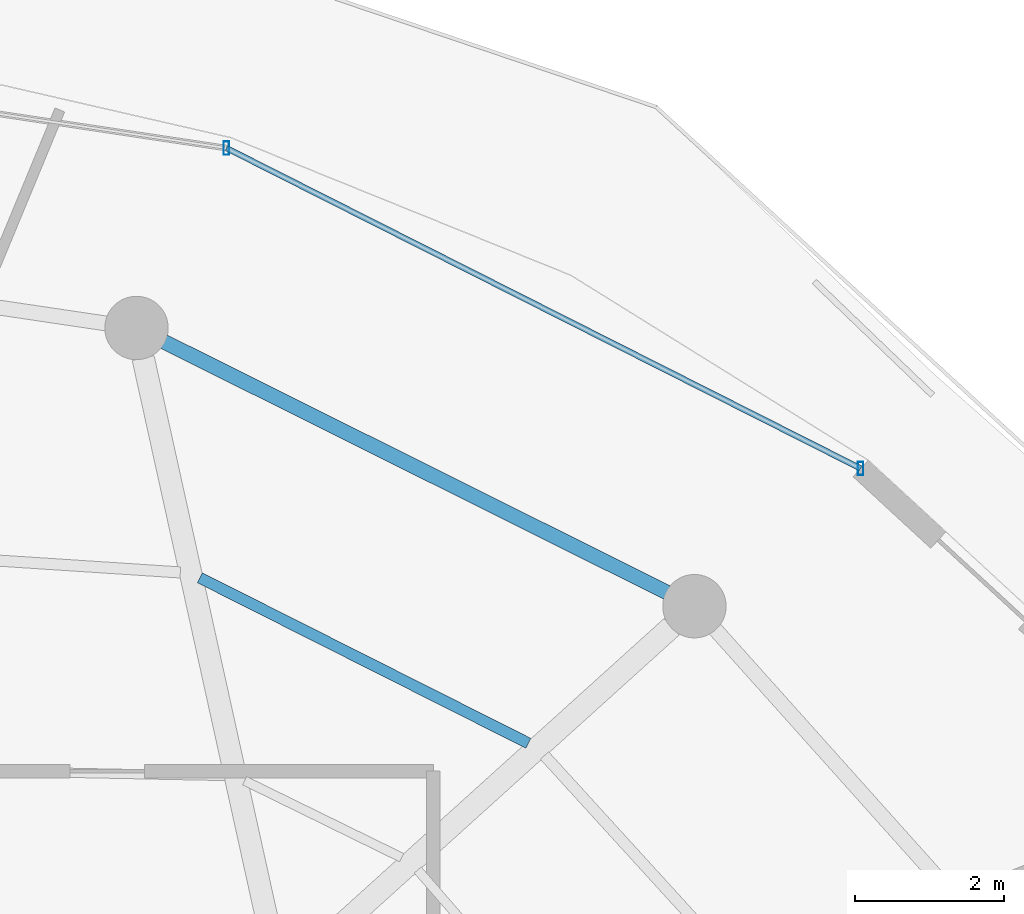
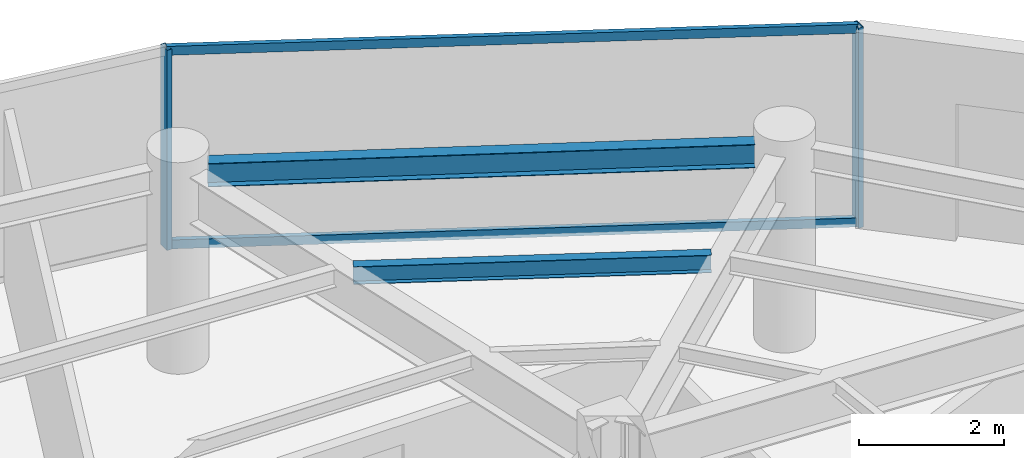
# One storey, part 20 of 30: 4 members, 2 beams, 1 element without a shape of its own.
"""IFC4 building model written with IfcOpenShell, lengths in metres."""

from ifc_helpers import new_model, si_unit, direction, frame, origin, origin_2d, place, context, subcontext, project, spatial, hollow_rectangle, i_section, extrude, material, material_profile, profile_set, type_object, element, aggregate, save


model = new_model("IFC4")

# Units and contexts
model_context = context("Model", 3, precision=1e-05, world=origin(), true_north=direction((0.0, 1.0)))
body_context = subcontext(model_context, "Body", "Model", "MODEL_VIEW")
ifc_project = project(units=[si_unit("LENGTHUNIT", "METRE"), si_unit("AREAUNIT", "SQUARE_METRE"), si_unit("VOLUMEUNIT", "CUBIC_METRE"), si_unit("PLANEANGLEUNIT", "RADIAN"), si_unit("MASSUNIT", "GRAM", prefix="KILO")], contexts=[model_context])

# Site, building, storey
site_placement = place(None, origin())
site = spatial("IfcSite", under=ifc_project, at=site_placement, CompositionType="ELEMENT")
building_placement = place(site_placement, origin())
building = spatial("IfcBuilding", under=site, at=building_placement, Name="Vorneva Point Tower", CompositionType="ELEMENT")
storey_placement = place(building_placement, frame((0.0, 0.0, 252.0)))
storey = spatial("IfcBuildingStorey", under=building, at=storey_placement, Name="L68", CompositionType="ELEMENT", Elevation=252.0)

# Beams
ifc_material_1 = material(Name="Steel S355", Category="steel")
ifc_material_profile_1 = material_profile(ifc_material_1, i_section(OverallWidth=0.14892578125, OverallDepth=0.298095703125, WebThickness=0.005615234375, FlangeThickness=0.008056640625, at=origin_2d()), Name="30B1")
ifc_profile_set_1 = profile_set([ifc_material_profile_1], Name="Steel S355")
beam_type_1 = type_object("IfcBeamType", Name="BM-JST-30B1", PredefinedType="JOIST", material=ifc_profile_set_1)
beam_1_placement = place(storey_placement, frame((52.07275390625, 36.32470703125, 3.14111328125), z_axis=(-0.893046523207, 0.449964340129, 0.0), x_axis=(-0.449964340129, -0.893046523207, 0.0)))
element("IfcBeam", 1, at=beam_1_placement, inside=storey, type_object=beam_type_1, Name="L68 Secondary Floor Beam 1.03", PredefinedType="JOIST", context=body_context, shape_type="SweptSolid", body=[
    extrude(i_section(OverallWidth=0.14892578125, OverallDepth=0.298095703125, WebThickness=0.005615234375, FlangeThickness=0.008056640625, at=origin_2d()), origin(), (0.0, 0.0, 1.0), 4.930908203125),
])
ifc_material_profile_2 = material_profile(ifc_material_1, i_section(OverallWidth=0.198974609375, OverallDepth=0.39599609375, WebThickness=0.007080078125, FlangeThickness=0.010986328125, at=origin_2d()), Name="40B1")
ifc_profile_set_2 = profile_set([ifc_material_profile_2], Name="Steel S355")
beam_type_2 = type_object("IfcBeamType", Name="BM-SPN-40B1", PredefinedType="SPANDREL", material=ifc_profile_set_2)
beam_2_placement = place(storey_placement, frame((53.931884765625, 38.34521484375, 3.092041015625), z_axis=(-0.894932011528, 0.446202526599, 0.0), x_axis=(-0.446202526599, -0.894932011528, 0.0)))
element("IfcBeam", 2, at=beam_2_placement, inside=storey, type_object=beam_type_2, Name="L68 Perimeter Spandrel Ring Beam 03", PredefinedType="SPANDREL", context=body_context, shape_type="SweptSolid", body=[
    extrude(i_section(OverallWidth=0.198974609375, OverallDepth=0.39599609375, WebThickness=0.007080078125, FlangeThickness=0.010986328125, at=origin_2d()), origin(), (0.0, 0.0, 1.0), 7.535888671875),
])

# Curtain wall, members
ifc_material_2 = material(Name="Pale anodised aluminium", Category="aluminium")
curtain_wall_type = type_object("IfcCurtainWallType", Name="CW-RES-SYS", PredefinedType="NOTDEFINED", material=ifc_material_2)
curtain_wall_placement = place(storey_placement, origin())
curtain_wall = element("IfcCurtainWall", 3, at=curtain_wall_placement, inside=storey, type_object=curtain_wall_type, Name="L68 Unitised Curtain Wall CW-L68-R02", PredefinedType="NOTDEFINED")
ifc_material_profile_3 = material_profile(ifc_material_2, hollow_rectangle(XDim=0.074951171875, YDim=0.179931640625, WallThickness=0.00390625, at=origin_2d()), Name="AL-MUL 180x75x4")
ifc_profile_set_3 = profile_set([ifc_material_profile_3], Name="Pale anodised aluminium")
member_type_1 = type_object("IfcMemberType", Name="CW-MUL-180", PredefinedType="MULLION", material=ifc_profile_set_3)
member_1_placement = place(storey_placement, frame((56.526123046875, 40.0078125, -0.0400390625), z_axis=(0.0, 0.0, 1.0), x_axis=(1.0, 0.0, 0.0)))
member_1 = element("IfcMember", 4, at=member_1_placement, type_object=member_type_1, Name="CW-L68-R02 Mullion 01", PredefinedType="MULLION", context=body_context, shape_type="SweptSolid", body=[
    extrude(hollow_rectangle(XDim=0.074951171875, YDim=0.179931640625, WallThickness=0.00390625, at=origin_2d()), origin(), (0.0, 0.0, 1.0), 3.360107421875),
])
member_2_placement = place(storey_placement, frame((48.0263671875, 44.302001953125, -0.0400390625), z_axis=(0.0, 0.0, 1.0), x_axis=(1.0, 0.0, 0.0)))
member_2 = element("IfcMember", 5, at=member_2_placement, type_object=member_type_1, Name="CW-L68-R02 Mullion 02", PredefinedType="MULLION", context=body_context, shape_type="SweptSolid", body=[
    extrude(hollow_rectangle(XDim=0.074951171875, YDim=0.179931640625, WallThickness=0.00390625, at=origin_2d()), origin(), (0.0, 0.0, 1.0), 3.360107421875),
])
ifc_material_profile_4 = material_profile(ifc_material_2, hollow_rectangle(XDim=0.074951171875, YDim=0.14990234375, WallThickness=0.00390625, at=origin_2d()), Name="AL-TRN 150x75x4")
ifc_profile_set_4 = profile_set([ifc_material_profile_4], Name="Pale anodised aluminium")
member_type_2 = type_object("IfcMemberType", Name="CW-TRN-150", PredefinedType="USERDEFINED", material=ifc_profile_set_4)
member_3_placement = place(storey_placement, frame((56.526123046875, 40.0078125, 0.02001953125), z_axis=(-0.892558185815, 0.450932239848, 0.0), x_axis=(-0.450932239848, -0.892558185815, 0.0)))
member_3 = element("IfcMember", 6, at=member_3_placement, type_object=member_type_2, Name="CW-L68-R02 Transom 01.1", ObjectType="TRANSOM", PredefinedType="USERDEFINED", context=body_context, shape_type="SweptSolid", body=[
    extrude(hollow_rectangle(XDim=0.074951171875, YDim=0.14990234375, WallThickness=0.00390625, at=origin_2d()), origin(), (0.0, 0.0, 1.0), 9.52294921875),
])
member_4_placement = place(storey_placement, frame((56.526123046875, 40.0078125, 3.27001953125), z_axis=(-0.892558185815, 0.450932239848, 0.0), x_axis=(-0.450932239848, -0.892558185815, 0.0)))
member_4 = element("IfcMember", 7, at=member_4_placement, type_object=member_type_2, Name="CW-L68-R02 Transom 01.2", ObjectType="TRANSOM", PredefinedType="USERDEFINED", context=body_context, shape_type="SweptSolid", body=[
    extrude(hollow_rectangle(XDim=0.074951171875, YDim=0.14990234375, WallThickness=0.00390625, at=origin_2d()), origin(), (0.0, 0.0, 1.0), 9.52294921875),
])
aggregate(curtain_wall, [member_1, member_2, member_3, member_4])

save(model, "model.ifc")
